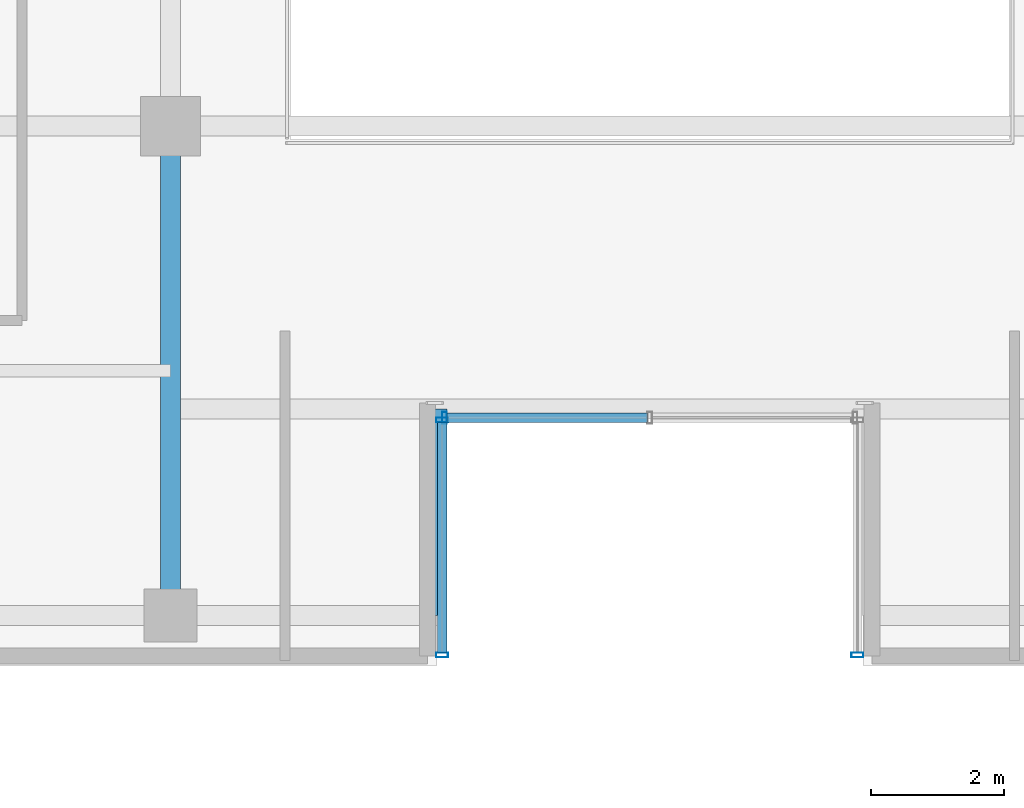
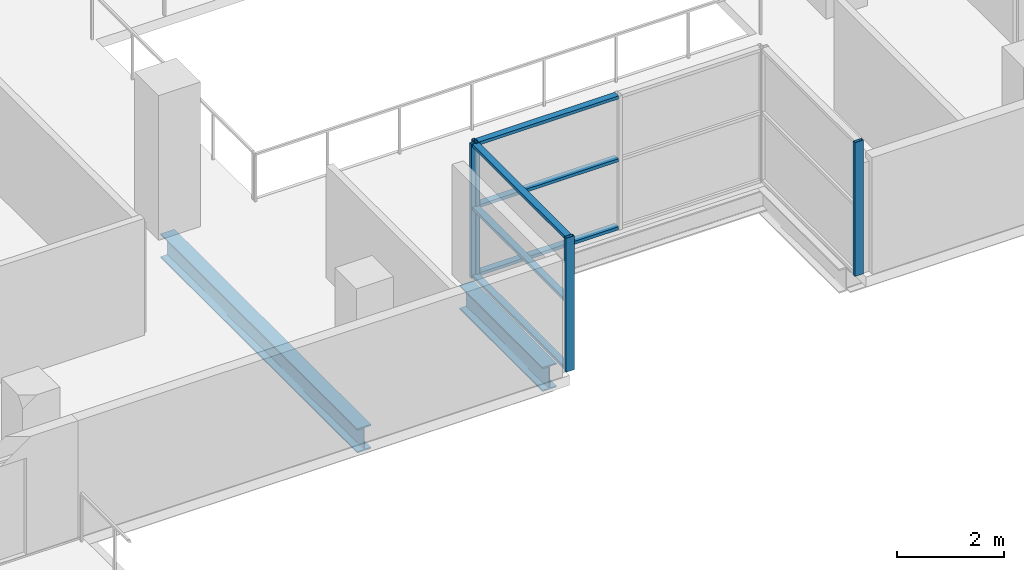
# One storey, part 6 of 24: 10 members, 2 beams, 3 elements without a shape of their own.
"""IFC4 building model written with IfcOpenShell, lengths in metres."""

from ifc_helpers import new_model, si_unit, direction, frame, origin, origin_2d, place, context, subcontext, project, spatial, hollow_rectangle, i_section, extrude, source, transform, mapped, material, layer, layer_set, material_profile, profile_set, type_object, element, aggregate, save


model = new_model("IFC4")

# Units and contexts
model_context = context("Model", 3, precision=1e-05, world=origin(), true_north=direction((0.0, 1.0)))
body_context = subcontext(model_context, "Body", "Model", "MODEL_VIEW")
ifc_project = project(units=[si_unit("LENGTHUNIT", "METRE"), si_unit("AREAUNIT", "SQUARE_METRE"), si_unit("VOLUMEUNIT", "CUBIC_METRE"), si_unit("PLANEANGLEUNIT", "RADIAN"), si_unit("MASSUNIT", "GRAM", prefix="KILO")], contexts=[model_context])

# Site, building, storey
site_placement = place(None, origin())
site = spatial("IfcSite", under=ifc_project, at=site_placement, CompositionType="ELEMENT")
building_placement = place(site_placement, origin())
building = spatial("IfcBuilding", under=site, at=building_placement, Name="Zarnakvel Exchange Tower", CompositionType="ELEMENT")
storey_placement = place(building_placement, frame((0.0, 0.0, 119.800048828125)))
storey = spatial("IfcBuildingStorey", under=building, at=storey_placement, Name="L33", CompositionType="ELEMENT", Elevation=119.800048828125)

# Beams
ifc_material_1 = material(Name="Steel S355", Category="steel")
ifc_material_profile_1 = material_profile(ifc_material_1, i_section(OverallWidth=0.300048828125, OverallDepth=0.550048828125, WebThickness=0.014892578125, FlangeThickness=0.029052734375, FilletRadius=0.027099609375, at=origin_2d()))
ifc_profile_set_1 = profile_set([ifc_material_profile_1], Name="Steel S355")
beam_type = type_object("IfcBeamType", Name="G-05", PredefinedType="BEAM", material=ifc_profile_set_1)
beam_1_placement = place(storey_placement, frame((-3.199951171875, -16.949951171875, -0.5), z_axis=(0.0, 1.0, 0.0), x_axis=(-1.0, 0.0, 0.0)))
element("IfcBeam", 1, at=beam_1_placement, inside=storey, type_object=beam_type, Name="L33 South Slot West Cheek Beam", PredefinedType="BEAM", context=body_context, shape_type="SweptSolid", body=[
    extrude(i_section(OverallWidth=0.300048828125, OverallDepth=0.550048828125, WebThickness=0.014892578125, FlangeThickness=0.029052734375, FilletRadius=0.027099609375, at=origin_2d()), origin(), (0.0, 0.0, 1.0), 3.099853515625),
])
beam_2_placement = place(storey_placement, frame((-7.199951171875, -16.949951171875, -0.5), z_axis=(0.0, 1.0, 0.0), x_axis=(-1.0, 0.0, 0.0)))
element("IfcBeam", 2, at=beam_2_placement, inside=storey, type_object=beam_type, Name="L33 Tower N-S Frame Beam", PredefinedType="BEAM", context=body_context, shape_type="SweptSolid", body=[
    extrude(i_section(OverallWidth=0.300048828125, OverallDepth=0.550048828125, WebThickness=0.014892578125, FlangeThickness=0.029052734375, FilletRadius=0.027099609375, at=origin_2d()), origin(), (0.0, 0.0, 1.0), 7.349853515625),
])

# Curtain wall, members
ifc_material_2 = material(Name="Architectural Bronze Anodised Aluminium", Category="aluminium")
ifc_layer = layer(ifc_material_2, 0.179931640625)
ifc_layer_set = layer_set([ifc_layer], Name="Architectural Bronze Anodised Aluminium")
curtain_wall_type = type_object("IfcCurtainWallType", Name="CW-05", PredefinedType="NOTDEFINED", material=ifc_layer_set)
curtain_wall_1_placement = place(storey_placement, origin())
curtain_wall_1 = element("IfcCurtainWall", 3, at=curtain_wall_1_placement, inside=storey, type_object=curtain_wall_type, Name="L33 Curtain Wall CW-L33-SLW (CW-05)", PredefinedType="NOTDEFINED")
ifc_material_profile_2 = material_profile(ifc_material_2, hollow_rectangle(XDim=0.139892578125, YDim=0.070068359375, WallThickness=0.00390625, at=origin_2d()))
ifc_profile_set_2 = profile_set([ifc_material_profile_2], Name="Architectural Bronze Anodised Aluminium")
member_type_1 = type_object("IfcMemberType", Name="CWT-05", PredefinedType="USERDEFINED", material=ifc_profile_set_2)
shared_shape_1 = source(origin(), body_context, "Body", "SweptSolid", [
    extrude(hollow_rectangle(XDim=0.139892578125, YDim=0.070068359375, WallThickness=0.00390625, at=origin_2d()), origin(), (0.0, 0.0, 1.0), 3.4599609375),
])
member_1_placement = place(storey_placement, frame((-3.1201171875, -17.510009765625, 0.034912109375), z_axis=(0.0, 1.0, 0.0), x_axis=(-1.0, 0.0, 0.0)))
member_1 = element("IfcMember", 4, at=member_1_placement, type_object=member_type_1, Name="CW-05 transom 1.1", ObjectType="TRANSOM", PredefinedType="USERDEFINED", context=body_context, shape_type="MappedRepresentation", body=[
    mapped(shared_shape_1, transform((0.0, 0.0, 0.0), x_axis=(1.0, 0.0, 0.0), y_axis=(0.0, 1.0, 0.0), z_axis=(0.0, 0.0, 1.0), scale=1.0)),
])
member_2_placement = place(storey_placement, frame((-3.1201171875, -17.510009765625, 1.588623046875), z_axis=(0.0, 1.0, 0.0), x_axis=(-1.0, 0.0, 0.0)))
member_2 = element("IfcMember", 5, at=member_2_placement, type_object=member_type_1, Name="CW-05 transom 1.2", ObjectType="TRANSOM", PredefinedType="USERDEFINED", context=body_context, shape_type="MappedRepresentation", body=[
    mapped(shared_shape_1, transform((0.0, 0.0, 0.0), x_axis=(1.0, 0.0, 0.0), y_axis=(0.0, 1.0, 0.0), z_axis=(0.0, 0.0, 1.0), scale=1.0)),
])
member_3_placement = place(storey_placement, frame((-3.1201171875, -17.510009765625, 3.02001953125), z_axis=(0.0, 1.0, 0.0), x_axis=(-1.0, 0.0, 0.0)))
member_3 = element("IfcMember", 6, at=member_3_placement, type_object=member_type_1, Name="CW-05 transom 1.3", ObjectType="TRANSOM", PredefinedType="USERDEFINED", context=body_context, shape_type="MappedRepresentation", body=[
    mapped(shared_shape_1, transform((0.0, 0.0, 0.0), x_axis=(1.0, 0.0, 0.0), y_axis=(0.0, 1.0, 0.0), z_axis=(0.0, 0.0, 1.0), scale=1.0)),
])

curtain_wall_2_placement = place(storey_placement, origin())
curtain_wall_2 = element("IfcCurtainWall", 7, at=curtain_wall_2_placement, inside=storey, type_object=curtain_wall_type, Name="L33 Curtain Wall CW-L33-SLB (CW-05)", PredefinedType="NOTDEFINED")
shared_shape_2 = source(origin(), body_context, "Body", "SweptSolid", [
    extrude(hollow_rectangle(XDim=0.139892578125, YDim=0.070068359375, WallThickness=0.00390625, at=origin_2d()), origin(), (0.0, 0.0, 1.0), 3.01513671875),
])
member_4_placement = place(storey_placement, frame((-3.050048828125, -13.97998046875, 0.034912109375), z_axis=(1.0, 0.0, 0.0), x_axis=(0.0, 1.0, 0.0)))
member_4 = element("IfcMember", 8, at=member_4_placement, type_object=member_type_1, Name="CW-05 transom 1.1", ObjectType="TRANSOM", PredefinedType="USERDEFINED", context=body_context, shape_type="MappedRepresentation", body=[
    mapped(shared_shape_2, transform((0.0, 0.0, 0.0), x_axis=(1.0, 0.0, 0.0), y_axis=(0.0, 1.0, 0.0), z_axis=(0.0, 0.0, 1.0), scale=1.0)),
])
member_5_placement = place(storey_placement, frame((-3.050048828125, -13.97998046875, 1.588623046875), z_axis=(1.0, 0.0, 0.0), x_axis=(0.0, 1.0, 0.0)))
member_5 = element("IfcMember", 9, at=member_5_placement, type_object=member_type_1, Name="CW-05 transom 1.2", ObjectType="TRANSOM", PredefinedType="USERDEFINED", context=body_context, shape_type="MappedRepresentation", body=[
    mapped(shared_shape_2, transform((0.0, 0.0, 0.0), x_axis=(1.0, 0.0, 0.0), y_axis=(0.0, 1.0, 0.0), z_axis=(0.0, 0.0, 1.0), scale=1.0)),
])
member_6_placement = place(storey_placement, frame((-3.050048828125, -13.97998046875, 3.02001953125), z_axis=(1.0, 0.0, 0.0), x_axis=(0.0, 1.0, 0.0)))
member_6 = element("IfcMember", 10, at=member_6_placement, type_object=member_type_1, Name="CW-05 transom 1.3", ObjectType="TRANSOM", PredefinedType="USERDEFINED", context=body_context, shape_type="MappedRepresentation", body=[
    mapped(shared_shape_2, transform((0.0, 0.0, 0.0), x_axis=(1.0, 0.0, 0.0), y_axis=(0.0, 1.0, 0.0), z_axis=(0.0, 0.0, 1.0), scale=1.0)),
])

# Member
ifc_material_profile_3 = material_profile(ifc_material_2, hollow_rectangle(XDim=0.179931640625, YDim=0.070068359375, WallThickness=0.00390625, at=origin_2d()))
ifc_profile_set_3 = profile_set([ifc_material_profile_3], Name="Architectural Bronze Anodised Aluminium")
member_type_2 = type_object("IfcMemberType", Name="CWM-05", PredefinedType="MULLION", material=ifc_profile_set_3)
shared_shape_3 = source(origin(), body_context, "Body", "SweptSolid", [
    extrude(hollow_rectangle(XDim=0.179931640625, YDim=0.070068359375, WallThickness=0.00390625, at=origin_2d()), origin(), (0.0, 0.0, 1.0), 3.054931640625),
])
member_7_placement = place(storey_placement, frame((-3.1201171875, -17.544921875, 0.0), z_axis=(0.0, 0.0, 1.0), x_axis=(-1.0, 0.0, 0.0)))
member_7 = element("IfcMember", 11, at=member_7_placement, type_object=member_type_2, Name="CW-05 mullion 1", PredefinedType="MULLION", context=body_context, shape_type="MappedRepresentation", body=[
    mapped(shared_shape_3, transform((0.0, 0.0, 0.0), x_axis=(1.0, 0.0, 0.0), y_axis=(0.0, 1.0, 0.0), z_axis=(0.0, 0.0, 1.0), scale=1.0)),
])

member_8_placement = place(storey_placement, frame((-3.1201171875, -14.014892578125, 0.0), z_axis=(0.0, 0.0, 1.0), x_axis=(-1.0, 0.0, 0.0)))
member_8 = element("IfcMember", 12, at=member_8_placement, type_object=member_type_2, Name="CW-05 mullion 2", PredefinedType="MULLION", context=body_context, shape_type="MappedRepresentation", body=[
    mapped(shared_shape_3, transform((0.0, 0.0, 0.0), x_axis=(1.0, 0.0, 0.0), y_axis=(0.0, 1.0, 0.0), z_axis=(0.0, 0.0, 1.0), scale=1.0)),
])

aggregate(curtain_wall_1, [member_7, member_8, member_1, member_2, member_3])

member_9_placement = place(storey_placement, frame((-3.0849609375, -13.97998046875, 0.0), z_axis=(0.0, 0.0, 1.0), x_axis=(0.0, 1.0, 0.0)))
member_9 = element("IfcMember", 13, at=member_9_placement, type_object=member_type_2, Name="CW-05 mullion 1", PredefinedType="MULLION", context=body_context, shape_type="MappedRepresentation", body=[
    mapped(shared_shape_3, transform((0.0, 0.0, 0.0), x_axis=(1.0, 0.0, 0.0), y_axis=(0.0, 1.0, 0.0), z_axis=(0.0, 0.0, 1.0), scale=1.0)),
])

aggregate(curtain_wall_2, [member_9, member_4, member_5, member_6])

# Curtain wall, member
curtain_wall_3_placement = place(storey_placement, origin())
curtain_wall_3 = element("IfcCurtainWall", 14, at=curtain_wall_3_placement, inside=storey, type_object=curtain_wall_type, Name="L33 Curtain Wall CW-L33-SLE (CW-05)", PredefinedType="NOTDEFINED")
member_10_placement = place(storey_placement, frame((3.1201171875, -17.544921875, 0.0), z_axis=(0.0, 0.0, 1.0), x_axis=(1.0, 0.0, 0.0)))
member_10 = element("IfcMember", 15, at=member_10_placement, type_object=member_type_2, Name="CW-05 mullion 2", PredefinedType="MULLION", context=body_context, shape_type="MappedRepresentation", body=[
    mapped(shared_shape_3, transform((0.0, 0.0, 0.0), x_axis=(1.0, 0.0, 0.0), y_axis=(0.0, 1.0, 0.0), z_axis=(0.0, 0.0, 1.0), scale=1.0)),
])
aggregate(curtain_wall_3, [member_10])

save(model, "model.ifc")
